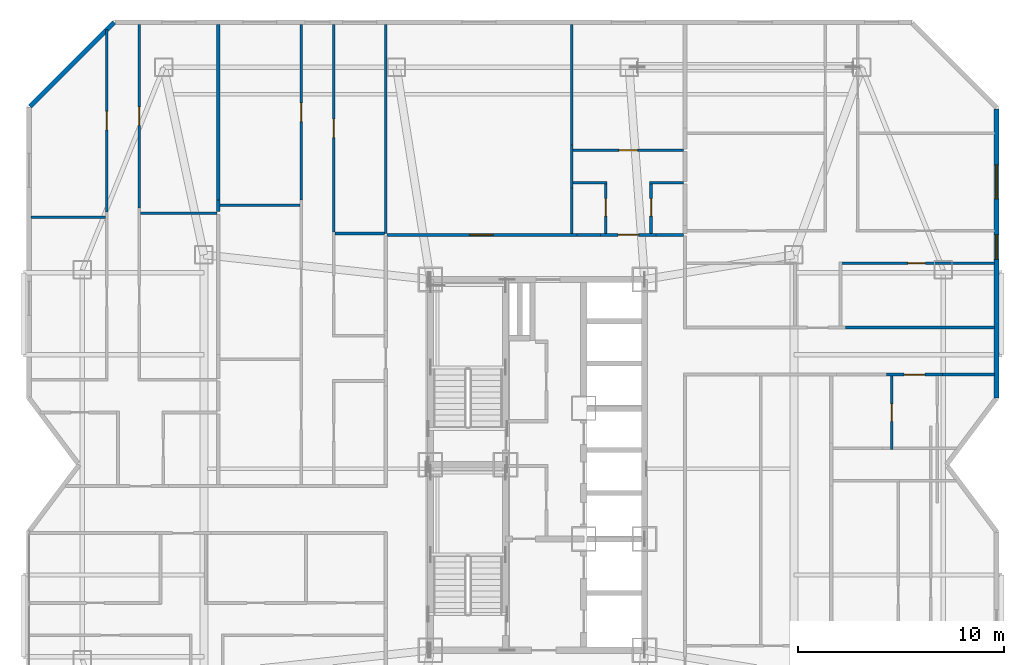
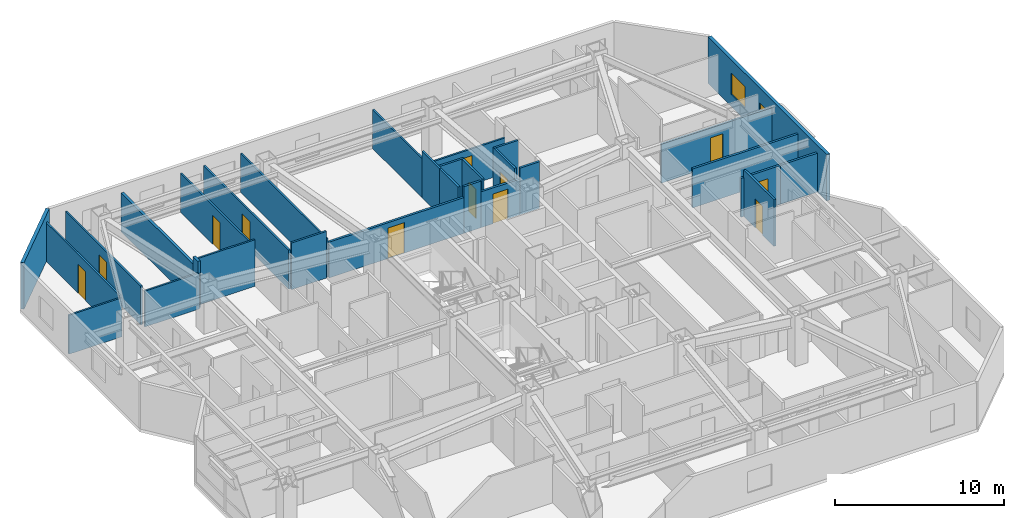
# One storey, part 15 of 17: 30 walls, 12 doors, 2 windows, 14 openings.
"""IFC4 building model written with IfcOpenShell, lengths in metres."""

from ifc_helpers import new_model, si_unit, direction, frame, frame_2d, origin, place, context, subcontext, project, spatial, rectangle, extrude, material, layer, layer_set, type_object, element, fill, save


model = new_model("IFC4")

# Units and contexts
model_context = context("Model", 3, precision=1e-05, world=origin(), true_north=direction((0.0, 1.0)))
body_context = subcontext(model_context, "Body", "Model", "MODEL_VIEW")
ifc_project = project(units=[si_unit("LENGTHUNIT", "METRE"), si_unit("AREAUNIT", "SQUARE_METRE"), si_unit("VOLUMEUNIT", "CUBIC_METRE"), si_unit("PLANEANGLEUNIT", "RADIAN"), si_unit("MASSUNIT", "GRAM", prefix="KILO")], contexts=[model_context])

# Site, building, storey
site_placement = place(None, origin())
site = spatial("IfcSite", under=ifc_project, at=site_placement, CompositionType="ELEMENT")
building_placement = place(site_placement, origin())
building = spatial("IfcBuilding", under=site, at=building_placement, Name="Khamvora Tower", CompositionType="ELEMENT")
storey_placement = place(building_placement, frame((0.0, 0.0, 142.050048828125)))
storey = spatial("IfcBuildingStorey", under=building, at=storey_placement, Name="L36", CompositionType="ELEMENT", Elevation=142.050048828125)

# Wall, opening, door
ifc_material_1 = material(Name="Fire-Rated Drywall and Steel Stud", Category="steel")
ifc_layer_1 = layer(ifc_material_1, 0.14990234375)
ifc_layer_set_1 = layer_set([ifc_layer_1], Name="Fire-Rated Drywall and Steel Stud")
wall_type_1 = type_object("IfcWallType", Name="WAL-CORR-150", PredefinedType="STANDARD", material=ifc_layer_set_1)
wall_1_placement = place(storey_placement, frame((26.89990234375, 39.1650390625, 0.0), z_axis=(0.0, 0.0, 1.0), x_axis=(1.0, 0.0, 0.0)))
wall_1 = element("IfcWall", 1, at=wall_1_placement, inside=storey, type_object=wall_type_1, Name="L36 interior partition wall 006", PredefinedType="STANDARD", context=body_context, shape_type="SweptSolid", body=[
    extrude(rectangle(XDim=9.214111328125, YDim=0.14990234375, at=frame_2d((4.60693359375, 0.0))), origin(), (0.0, 0.0, 1.0), 2.5869140625),
])
opening_1_placement = place(wall_1_placement, frame((4.010986328125, 0.0, 0.0)))
opening_1 = element("IfcOpeningElement", 2, at=opening_1_placement, cuts=wall_1, Name="Opening D-SC1", PredefinedType="OPENING", context=body_context, shape_type="SweptSolid", body=[
    extrude(rectangle(XDim=1.14990234375, YDim=2.199951171875, at=frame_2d((0.574951171875, 1.10009765625))), frame((0.0, 0.0849609375, 0.0), z_axis=(0.0, -1.0, 0.0), x_axis=(1.0, 0.0, 0.0)), (0.0, 0.0, 1.0), 0.169921875),
])
ifc_material_2 = material(Name="Powder-Coated Steel and Hardwood Leaf", Category="steel")
door_type_1 = type_object("IfcDoorType", Name="DOR-SCHL-1150", OperationType="NOTDEFINED", PredefinedType="DOOR", material=ifc_material_2)
door_1_placement = place(opening_1_placement, origin())
door_1 = element("IfcDoor", 3, at=door_1_placement, inside=storey, type_object=door_type_1, Name="L36 interior door COR-RFIT", OperationType="SINGLE_SWING_RIGHT", OverallHeight=2.199951171875, OverallWidth=1.14990234375, PredefinedType="DOOR", context=body_context, shape_type="SweptSolid", body=[
    extrude(rectangle(XDim=1.14990234375, YDim=2.199951171875, at=frame_2d((0.574951171875, 1.10009765625))), frame((0.0, 0.02490234375, 0.0), z_axis=(0.0, -1.0, 0.0), x_axis=(1.0, 0.0, 0.0)), (0.0, 0.0, 1.0), 0.050048828125),
])
fill(opening_1, door_1)

wall_2_placement = place(storey_placement, frame((37.26611328125, 39.1650390625, 0.0), z_axis=(0.0, 0.0, 1.0), x_axis=(1.0, 0.0, 0.0)))
wall_2 = element("IfcWall", 4, at=wall_2_placement, inside=storey, type_object=wall_type_1, Name="L36 interior partition wall 025", PredefinedType="STANDARD", context=body_context, shape_type="SweptSolid", body=[
    extrude(rectangle(XDim=2.697998046875, YDim=0.14990234375, at=frame_2d((1.34912109375, 0.0))), origin(), (0.0, 0.0, 1.0), 2.5869140625),
])
opening_2_placement = place(wall_2_placement, frame((0.84912109375, 0.0, 0.0)))
opening_2 = element("IfcOpeningElement", 5, at=opening_2_placement, cuts=wall_2, Name="Opening D-U1", PredefinedType="OPENING", context=body_context, shape_type="SweptSolid", body=[
    extrude(rectangle(XDim=1.0, YDim=2.14990234375, at=frame_2d((0.5, 1.074951171875))), frame((0.0, 0.0849609375, 0.0), z_axis=(0.0, -1.0, 0.0), x_axis=(1.0, 0.0, 0.0)), (0.0, 0.0, 1.0), 0.169921875),
])
door_type_2 = type_object("IfcDoorType", Name="DOR-UNIT-1000", OperationType="NOTDEFINED", PredefinedType="DOOR", material=ifc_material_2)
door_2_placement = place(opening_2_placement, origin())
door_2 = element("IfcDoor", 6, at=door_2_placement, inside=storey, type_object=door_type_2, Name="L36 interior door COR-36NAH", OperationType="SINGLE_SWING_LEFT", OverallHeight=2.14990234375, OverallWidth=1.0, PredefinedType="DOOR", context=body_context, shape_type="SweptSolid", body=[
    extrude(rectangle(XDim=1.0, YDim=2.14990234375, at=frame_2d((0.5, 1.074951171875))), frame((0.0, 0.02490234375, 0.0), z_axis=(0.0, -1.0, 0.0), x_axis=(1.0, 0.0, 0.0)), (0.0, 0.0, 1.0), 0.050048828125),
])
fill(opening_2, door_2)

# Walls
wall_3_placement = place(storey_placement, frame((36.114013671875, 39.1650390625, 0.0), z_axis=(0.0, 0.0, 1.0), x_axis=(1.0, 0.0, 0.0)))
element("IfcWall", 7, at=wall_3_placement, inside=storey, type_object=wall_type_1, Name="L36 interior partition wall 026", PredefinedType="STANDARD", context=body_context, shape_type="SweptSolid", body=[
    extrude(rectangle(XDim=1.152099609375, YDim=0.14990234375, at=frame_2d((0.576171875, 0.0))), origin(), (0.0, 0.0, 1.0), 3.369873046875),
])
wall_4_placement = place(storey_placement, frame((39.964111328125, 39.1650390625, 0.0), z_axis=(0.0, 0.0, 1.0), x_axis=(1.0, 0.0, 0.0)))
element("IfcWall", 8, at=wall_4_placement, inside=storey, type_object=wall_type_1, Name="L36 interior partition wall 027", PredefinedType="STANDARD", context=body_context, shape_type="SweptSolid", body=[
    extrude(rectangle(XDim=1.3359375, YDim=0.14990234375, at=frame_2d((0.66796875, 0.0))), origin(), (0.0, 0.0, 1.0), 3.369873046875),
])

# Wall, opening, door
wall_5_placement = place(storey_placement, frame((53.85693359375, 32.385009765625, 0.0), z_axis=(0.0, 0.0, 1.0), x_axis=(-1.0, 0.0, 0.0)))
wall_5 = element("IfcWall", 9, at=wall_5_placement, inside=storey, type_object=wall_type_1, Name="L36 interior partition wall 032", PredefinedType="STANDARD", context=body_context, shape_type="SweptSolid", body=[
    extrude(rectangle(XDim=2.698974609375, YDim=0.14990234375, at=frame_2d((1.349609375, 0.0))), origin(), (0.0, 0.0, 1.0), 2.81591796875),
])
opening_3_placement = place(wall_5_placement, frame((0.84912109375, 0.0, 0.0)))
opening_3 = element("IfcOpeningElement", 10, at=opening_3_placement, cuts=wall_5, Name="Opening D-U1", PredefinedType="OPENING", context=body_context, shape_type="SweptSolid", body=[
    extrude(rectangle(XDim=1.0, YDim=2.14990234375, at=frame_2d((0.5, 1.074951171875))), frame((0.0, 0.0849609375, 0.0), z_axis=(0.0, -1.0, 0.0), x_axis=(1.0, 0.0, 0.0)), (0.0, 0.0, 1.0), 0.169921875),
])
door_3_placement = place(opening_3_placement, origin())
door_3 = element("IfcDoor", 11, at=door_3_placement, inside=storey, type_object=door_type_2, Name="L36 interior door COR-36EBH", OperationType="SINGLE_SWING_LEFT", OverallHeight=2.14990234375, OverallWidth=1.0, PredefinedType="DOOR", context=body_context, shape_type="SweptSolid", body=[
    extrude(rectangle(XDim=1.0, YDim=2.14990234375, at=frame_2d((0.5, 1.074951171875))), frame((0.0, 0.02490234375, 0.0), z_axis=(0.0, -1.0, 0.0), x_axis=(1.0, 0.0, 0.0)), (0.0, 0.0, 1.0), 0.050048828125),
])
fill(opening_3, door_3)

# Walls
wall_6_placement = place(storey_placement, frame((56.387939453125, 32.385009765625, 0.0), z_axis=(0.0, 0.0, 1.0), x_axis=(-1.0, 0.0, 0.0)))
element("IfcWall", 12, at=wall_6_placement, inside=storey, type_object=wall_type_1, Name="L36 interior partition wall 033", PredefinedType="STANDARD", context=body_context, shape_type="SweptSolid", body=[
    extrude(rectangle(XDim=2.531005859375, YDim=0.14990234375, at=frame_2d((1.265625, 0.0))), origin(), (0.0, 0.0, 1.0), 2.81591796875),
])
wall_7_placement = place(storey_placement, frame((49.158935546875, 34.6650390625, 0.0), z_axis=(0.0, 0.0, 1.0), x_axis=(1.0, 0.0, 0.0)))
element("IfcWall", 13, at=wall_7_placement, inside=storey, type_object=wall_type_1, Name="L36 interior partition wall 039", PredefinedType="STANDARD", context=body_context, shape_type="SweptSolid", body=[
    extrude(rectangle(XDim=7.22900390625, YDim=0.14990234375, at=frame_2d((3.614501953125, 0.0))), origin(), (0.0, 0.0, 1.0), 2.81591796875),
])
ifc_material_3 = material(Name="Acoustic Double-Stud Fire Wall", Category="gypsum")
ifc_layer_2 = layer(ifc_material_3, 0.179931640625)
ifc_layer_set_2 = layer_set([ifc_layer_2], Name="Acoustic Double-Stud Fire Wall")
wall_type_2 = type_object("IfcWallType", Name="WAL-CORR-180", PredefinedType="STANDARD", material=ifc_layer_set_2)
wall_8_placement = place(storey_placement, frame((18.705078125, 40.85302734375, 0.0), z_axis=(0.0, 0.0, 1.0), x_axis=(0.0, -1.0, 0.0)))
element("IfcWall", 14, at=wall_8_placement, inside=storey, type_object=wall_type_2, Name="L36 interior partition wall 077", PredefinedType="STANDARD", context=body_context, shape_type="SweptSolid", body=[
    extrude(rectangle(XDim=0.56201171875, YDim=0.179931640625, at=frame_2d((0.281005859375, 0.0))), origin(), (0.0, 0.0, 1.0), 3.369873046875),
])
wall_9_placement = place(storey_placement, frame((18.705078125, 49.387939453125, 0.0), z_axis=(0.0, 0.0, 1.0), x_axis=(0.0, -1.0, 0.0)))
element("IfcWall", 15, at=wall_9_placement, inside=storey, type_object=wall_type_2, Name="L36 interior partition wall 078", PredefinedType="STANDARD", context=body_context, shape_type="SweptSolid", body=[
    extrude(rectangle(XDim=8.534912109375, YDim=0.179931640625, at=frame_2d((4.267578125, 0.0))), origin(), (0.0, 0.0, 1.0), 2.81591796875),
])
ifc_material_4 = material(Name="Precast concrete C40/50", Category="concrete")
ifc_layer_3 = layer(ifc_material_4, 0.219970703125)
ifc_layer_set_3 = layer_set([ifc_layer_3], Name="Precast concrete C40/50")
wall_type_3 = type_object("IfcWallType", Name="WAL-EXT-220", PredefinedType="STANDARD", material=ifc_layer_set_3)
wall_10_placement = place(storey_placement, frame((9.55810546875, 45.402099609375, 0.0), z_axis=(0.0, 0.0, 1.0), x_axis=(0.707106781187, 0.707106781187, 0.0)))
element("IfcWall", 16, at=wall_10_placement, inside=storey, type_object=wall_type_3, Name="L36 exterior facade wall 06.1", PredefinedType="STANDARD", context=body_context, shape_type="SweptSolid", body=[
    extrude(rectangle(XDim=5.78125, YDim=0.219970703125, at=frame_2d((2.890625, 0.0))), origin(), (0.0, 0.0, 1.0), 3.369873046875),
])

# Wall, openings, windows
wall_11_placement = place(storey_placement, frame((56.489990234375, 45.282958984375, 0.0), z_axis=(0.0, 0.0, 1.0), x_axis=(0.0, -1.0, 0.0)))
wall_11 = element("IfcWall", 17, at=wall_11_placement, inside=storey, type_object=wall_type_3, Name="L36 exterior facade wall 09.1", PredefinedType="STANDARD", context=body_context, shape_type="SweptSolid", body=[
    extrude(rectangle(XDim=14.0458984375, YDim=0.219970703125, at=frame_2d((7.02294921875, 0.0))), origin(), (0.0, 0.0, 1.0), 3.369873046875),
])
opening_4_placement = place(wall_11_placement, frame((6.10107421875, 0.0, 0.800048828125)))
opening_4 = element("IfcOpeningElement", 18, at=opening_4_placement, cuts=wall_11, Name="Opening WN-03", PredefinedType="OPENING", context=body_context, shape_type="SweptSolid", body=[
    extrude(rectangle(XDim=1.199951171875, YDim=1.5, at=frame_2d((0.60009765625, 0.75))), frame((0.0, 0.119873046875, 0.0), z_axis=(0.0, -1.0, 0.0), x_axis=(1.0, 0.0, 0.0)), (0.0, 0.0, 1.0), 0.239990234375),
])
opening_5_placement = place(wall_11_placement, frame((2.718994140625, 0.0, 0.85009765625)))
opening_5 = element("IfcOpeningElement", 19, at=opening_5_placement, cuts=wall_11, Name="Opening WN-06", PredefinedType="OPENING", context=body_context, shape_type="SweptSolid", body=[
    extrude(rectangle(XDim=1.64990234375, YDim=1.550048828125, at=frame_2d((0.824951171875, 0.77490234375))), frame((0.0, 0.119873046875, 0.0), z_axis=(0.0, -1.0, 0.0), x_axis=(1.0, 0.0, 0.0)), (0.0, 0.0, 1.0), 0.239990234375),
])
ifc_material_5 = material(Name="Low-E Laminated Double Glazing", Category="glass")
window_type_1 = type_object("IfcWindowType", Name="WIN-VIS-1200x1500", PartitioningType="SINGLE_PANEL", PredefinedType="WINDOW", material=ifc_material_5)
window_1_placement = place(opening_4_placement, origin())
window_1 = element("IfcWindow", 20, at=window_1_placement, inside=storey, type_object=window_type_1, Name="L36 vision window 09.1.01", OverallHeight=1.5, OverallWidth=1.199951171875, PartitioningType="SINGLE_PANEL", PredefinedType="WINDOW", context=body_context, shape_type="SweptSolid", body=[
    extrude(rectangle(XDim=1.199951171875, YDim=1.5, at=frame_2d((0.60009765625, 0.75))), frame((0.0, 0.030029296875, 0.0), z_axis=(0.0, -1.0, 0.0), x_axis=(1.0, 0.0, 0.0)), (0.0, 0.0, 1.0), 0.06005859375),
])
fill(opening_4, window_1)
window_type_2 = type_object("IfcWindowType", Name="WIN-VIS-1650x1550", PartitioningType="SINGLE_PANEL", PredefinedType="WINDOW", material=ifc_material_5)
window_2_placement = place(opening_5_placement, origin())
window_2 = element("IfcWindow", 21, at=window_2_placement, inside=storey, type_object=window_type_2, Name="L36 vision window 09.1.02", OverallHeight=1.550048828125, OverallWidth=1.64990234375, PartitioningType="SINGLE_PANEL", PredefinedType="WINDOW", context=body_context, shape_type="SweptSolid", body=[
    extrude(rectangle(XDim=1.64990234375, YDim=1.550048828125, at=frame_2d((0.824951171875, 0.77490234375))), frame((0.0, 0.030029296875, 0.0), z_axis=(0.0, -1.0, 0.0), x_axis=(1.0, 0.0, 0.0)), (0.0, 0.0, 1.0), 0.06005859375),
])
fill(opening_5, window_2)

# Walls
ifc_material_6 = material(Name="Gypsum Plasterboard Partition", Category="gypsum")
ifc_layer_4 = layer(ifc_material_6, 0.1201171875)
ifc_layer_set_4 = layer_set([ifc_layer_4], Name="Gypsum Plasterboard Partition")
wall_type_4 = type_object("IfcWallType", Name="WAL-PART-120", PredefinedType="PARTITIONING", material=ifc_layer_set_4)
wall_12_placement = place(storey_placement, frame((26.8349609375, 39.22998046875, 0.0), z_axis=(0.0, 0.0, 1.0), x_axis=(0.0, 1.0, 0.0)))
element("IfcWall", 22, at=wall_12_placement, inside=storey, type_object=wall_type_4, Name="L36 interior partition wall 040", PredefinedType="PARTITIONING", context=body_context, shape_type="SweptSolid", body=[
    extrude(rectangle(XDim=10.157958984375, YDim=0.1201171875, at=frame_2d((5.0791015625, 0.0))), origin(), (0.0, 0.0, 1.0), 2.81591796875),
])
wall_13_placement = place(storey_placement, frame((35.864990234375, 43.52392578125, 0.0), z_axis=(0.0, 0.0, 1.0), x_axis=(0.0, -1.0, 0.0)))
element("IfcWall", 23, at=wall_13_placement, inside=storey, type_object=wall_type_4, Name="L36 interior partition wall 041", PredefinedType="PARTITIONING", context=body_context, shape_type="SweptSolid", body=[
    extrude(rectangle(XDim=2.077880859375, YDim=0.1201171875, at=frame_2d((1.0390625, 0.0))), origin(), (0.0, 0.0, 1.0), 3.369873046875),
])
wall_14_placement = place(storey_placement, frame((35.864990234375, 49.387939453125, 0.0), z_axis=(0.0, 0.0, 1.0), x_axis=(0.0, -1.0, 0.0)))
element("IfcWall", 24, at=wall_14_placement, inside=storey, type_object=wall_type_4, Name="L36 interior partition wall 043", PredefinedType="PARTITIONING", context=body_context, shape_type="SweptSolid", body=[
    extrude(rectangle(XDim=5.864013671875, YDim=0.1201171875, at=frame_2d((2.93212890625, 0.0))), origin(), (0.0, 0.0, 1.0), 2.81591796875),
])

# Wall, opening, door
wall_15_placement = place(storey_placement, frame((13.2900390625, 40.280029296875, 0.0), z_axis=(0.0, 0.0, 1.0), x_axis=(0.0, 1.0, 0.0)))
wall_15 = element("IfcWall", 25, at=wall_15_placement, inside=storey, type_object=wall_type_4, Name="L36 interior partition wall 067", PredefinedType="PARTITIONING", context=body_context, shape_type="SweptSolid", body=[
    extrude(rectangle(XDim=8.863037109375, YDim=0.1201171875, at=frame_2d((4.431640625, 0.0))), origin(), (0.0, 0.0, 1.0), 2.81591796875),
])
opening_6_placement = place(wall_15_placement, frame((3.98095703125, 0.0, 0.0)))
opening_6 = element("IfcOpeningElement", 26, at=opening_6_placement, cuts=wall_15, Name="Opening D-RM1", PredefinedType="OPENING", context=body_context, shape_type="SweptSolid", body=[
    extrude(rectangle(XDim=0.89990234375, YDim=2.10009765625, at=frame_2d((0.449951171875, 1.050048828125))), frame((0.0, 0.070068359375, 0.0), z_axis=(0.0, -1.0, 0.0), x_axis=(1.0, 0.0, 0.0)), (0.0, 0.0, 1.0), 0.14013671875),
])
door_type_3 = type_object("IfcDoorType", Name="DOR-ROOM-900", OperationType="NOTDEFINED", PredefinedType="DOOR", material=ifc_material_2)
door_4_placement = place(opening_6_placement, origin())
door_4 = element("IfcDoor", 27, at=door_4_placement, inside=storey, type_object=door_type_3, Name="L36 interior door 36WBH-36WBR2", OperationType="SINGLE_SWING_LEFT", OverallHeight=2.10009765625, OverallWidth=0.89990234375, PredefinedType="DOOR", context=body_context, shape_type="SweptSolid", body=[
    extrude(rectangle(XDim=0.89990234375, YDim=2.10009765625, at=frame_2d((0.449951171875, 1.050048828125))), frame((0.0, 0.02490234375, 0.0), z_axis=(0.0, -1.0, 0.0), x_axis=(1.0, 0.0, 0.0)), (0.0, 0.0, 1.0), 0.050048828125),
])
fill(opening_6, door_4)

wall_16_placement = place(storey_placement, frame((14.860107421875, 49.387939453125, 0.0), z_axis=(0.0, 0.0, 1.0), x_axis=(0.0, -1.0, 0.0)))
wall_16 = element("IfcWall", 28, at=wall_16_placement, inside=storey, type_object=wall_type_4, Name="L36 interior partition wall 070", PredefinedType="PARTITIONING", context=body_context, shape_type="SweptSolid", body=[
    extrude(rectangle(XDim=8.912841796875, YDim=0.1201171875, at=frame_2d((4.45654296875, 0.0))), origin(), (0.0, 0.0, 1.0), 2.81591796875),
])
opening_7_placement = place(wall_16_placement, frame((4.006103515625, 0.0, 0.0)))
opening_7 = element("IfcOpeningElement", 29, at=opening_7_placement, cuts=wall_16, Name="Opening D-RM1", PredefinedType="OPENING", context=body_context, shape_type="SweptSolid", body=[
    extrude(rectangle(XDim=0.89990234375, YDim=2.10009765625, at=frame_2d((0.449951171875, 1.050048828125))), frame((0.0, 0.070068359375, 0.0), z_axis=(0.0, -1.0, 0.0), x_axis=(1.0, 0.0, 0.0)), (0.0, 0.0, 1.0), 0.14013671875),
])
door_5_placement = place(opening_7_placement, origin())
door_5 = element("IfcDoor", 30, at=door_5_placement, inside=storey, type_object=door_type_3, Name="L36 interior door 36WBH-36WBR4", OperationType="SINGLE_SWING_LEFT", OverallHeight=2.10009765625, OverallWidth=0.89990234375, PredefinedType="DOOR", context=body_context, shape_type="SweptSolid", body=[
    extrude(rectangle(XDim=0.89990234375, YDim=2.10009765625, at=frame_2d((0.449951171875, 1.050048828125))), frame((0.0, 0.02490234375, 0.0), z_axis=(0.0, -1.0, 0.0), x_axis=(1.0, 0.0, 0.0)), (0.0, 0.0, 1.0), 0.050048828125),
])
fill(opening_7, door_5)

# Walls
wall_17_placement = place(storey_placement, frame((9.612060546875, 40.031005859375, 0.0), z_axis=(0.0, 0.0, 1.0), x_axis=(1.0, 0.0, 0.0)))
element("IfcWall", 31, at=wall_17_placement, inside=storey, type_object=wall_type_4, Name="L36 interior partition wall 073", PredefinedType="PARTITIONING", context=body_context, shape_type="SweptSolid", body=[
    extrude(rectangle(XDim=3.6240234375, YDim=0.1201171875, at=frame_2d((1.81201171875, 0.0))), origin(), (0.0, 0.0, 1.0), 2.81591796875),
])
wall_18_placement = place(storey_placement, frame((14.9140625, 40.22607421875, 0.0), z_axis=(0.0, 0.0, 1.0), x_axis=(1.0, 0.0, 0.0)))
element("IfcWall", 32, at=wall_18_placement, inside=storey, type_object=wall_type_4, Name="L36 interior partition wall 074", PredefinedType="PARTITIONING", context=body_context, shape_type="SweptSolid", body=[
    extrude(rectangle(XDim=3.725830078125, YDim=0.1201171875, at=frame_2d((1.86279296875, 0.0))), origin(), (0.0, 0.0, 1.0), 2.5869140625),
])

# Wall, opening, door
wall_19_placement = place(storey_placement, frame((24.304931640625, 39.2958984375, 0.0), z_axis=(0.0, 0.0, 1.0), x_axis=(0.0, 1.0, 0.0)))
wall_19 = element("IfcWall", 33, at=wall_19_placement, inside=storey, type_object=wall_type_4, Name="L36 interior partition wall 079", PredefinedType="PARTITIONING", context=body_context, shape_type="SweptSolid", body=[
    extrude(rectangle(XDim=10.092041015625, YDim=0.1201171875, at=frame_2d((5.0458984375, 0.0))), origin(), (0.0, 0.0, 1.0), 2.81591796875),
])
opening_8_placement = place(wall_19_placement, frame((4.595947265625, 0.0, 0.0)))
opening_8 = element("IfcOpeningElement", 34, at=opening_8_placement, cuts=wall_19, Name="Opening D-RM1", PredefinedType="OPENING", context=body_context, shape_type="SweptSolid", body=[
    extrude(rectangle(XDim=0.89990234375, YDim=2.10009765625, at=frame_2d((0.449951171875, 1.050048828125))), frame((0.0, 0.070068359375, 0.0), z_axis=(0.0, -1.0, 0.0), x_axis=(1.0, 0.0, 0.0)), (0.0, 0.0, 1.0), 0.14013671875),
])
door_6_placement = place(opening_8_placement, origin())
door_6 = element("IfcDoor", 35, at=door_6_placement, inside=storey, type_object=door_type_3, Name="L36 interior door 36WCW2-36WCH", OperationType="SINGLE_SWING_RIGHT", OverallHeight=2.10009765625, OverallWidth=0.89990234375, PredefinedType="DOOR", context=body_context, shape_type="SweptSolid", body=[
    extrude(rectangle(XDim=0.89990234375, YDim=2.10009765625, at=frame_2d((0.449951171875, 1.050048828125))), frame((0.0, 0.02490234375, 0.0), z_axis=(0.0, -1.0, 0.0), x_axis=(1.0, 0.0, 0.0)), (0.0, 0.0, 1.0), 0.050048828125),
])
fill(opening_8, door_6)

wall_20_placement = place(storey_placement, frame((22.72509765625, 40.85302734375, 0.0), z_axis=(0.0, 0.0, 1.0), x_axis=(0.0, 1.0, 0.0)))
wall_20 = element("IfcWall", 36, at=wall_20_placement, inside=storey, type_object=wall_type_4, Name="L36 interior partition wall 087", PredefinedType="PARTITIONING", context=body_context, shape_type="SweptSolid", body=[
    extrude(rectangle(XDim=8.534912109375, YDim=0.1201171875, at=frame_2d((4.267578125, 0.0))), origin(), (0.0, 0.0, 1.0), 2.81591796875),
])
opening_9_placement = place(wall_20_placement, frame((3.81689453125, 0.0, 0.0)))
opening_9 = element("IfcOpeningElement", 37, at=opening_9_placement, cuts=wall_20, Name="Opening D-RM1", PredefinedType="OPENING", context=body_context, shape_type="SweptSolid", body=[
    extrude(rectangle(XDim=0.89990234375, YDim=2.10009765625, at=frame_2d((0.449951171875, 1.050048828125))), frame((0.0, 0.070068359375, 0.0), z_axis=(0.0, -1.0, 0.0), x_axis=(1.0, 0.0, 0.0)), (0.0, 0.0, 1.0), 0.14013671875),
])
door_7_placement = place(opening_9_placement, origin())
door_7 = element("IfcDoor", 38, at=door_7_placement, inside=storey, type_object=door_type_3, Name="L36 interior door 36WCH-36WCR3", OperationType="SINGLE_SWING_LEFT", OverallHeight=2.10009765625, OverallWidth=0.89990234375, PredefinedType="DOOR", context=body_context, shape_type="SweptSolid", body=[
    extrude(rectangle(XDim=0.89990234375, YDim=2.10009765625, at=frame_2d((0.449951171875, 1.050048828125))), frame((0.0, 0.02490234375, 0.0), z_axis=(0.0, -1.0, 0.0), x_axis=(1.0, 0.0, 0.0)), (0.0, 0.0, 1.0), 0.050048828125),
])
fill(opening_9, door_7)

# Wall
wall_21_placement = place(storey_placement, frame((18.787109375, 40.60302734375, 0.0), z_axis=(0.0, 0.0, 1.0), x_axis=(1.0, 0.0, 0.0)))
element("IfcWall", 39, at=wall_21_placement, inside=storey, type_object=wall_type_4, Name="L36 interior partition wall 089", PredefinedType="PARTITIONING", context=body_context, shape_type="SweptSolid", body=[
    extrude(rectangle(XDim=3.8837890625, YDim=0.1201171875, at=frame_2d((1.94189453125, 0.0))), origin(), (0.0, 0.0, 1.0), 3.369873046875),
])

# Wall, opening, door
wall_22_placement = place(storey_placement, frame((35.9189453125, 43.27490234375, 0.0), z_axis=(0.0, 0.0, 1.0), x_axis=(1.0, 0.0, 0.0)))
wall_22 = element("IfcWall", 40, at=wall_22_placement, inside=storey, type_object=wall_type_4, Name="L36 interior partition wall 105", PredefinedType="PARTITIONING", context=body_context, shape_type="SweptSolid", body=[
    extrude(rectangle(XDim=5.381103515625, YDim=0.1201171875, at=frame_2d((2.6904296875, 0.0))), origin(), (0.0, 0.0, 1.0), 2.5869140625),
])
opening_10_placement = place(wall_22_placement, frame((2.239990234375, 0.0, 0.0)))
opening_10 = element("IfcOpeningElement", 41, at=opening_10_placement, cuts=wall_22, Name="Opening D-RM1", PredefinedType="OPENING", context=body_context, shape_type="SweptSolid", body=[
    extrude(rectangle(XDim=0.89990234375, YDim=2.10009765625, at=frame_2d((0.449951171875, 1.050048828125))), frame((0.0, 0.070068359375, 0.0), z_axis=(0.0, -1.0, 0.0), x_axis=(1.0, 0.0, 0.0)), (0.0, 0.0, 1.0), 0.14013671875),
])
door_8_placement = place(opening_10_placement, origin())
door_8 = element("IfcDoor", 42, at=door_8_placement, inside=storey, type_object=door_type_3, Name="L36 interior door 36NAH-36NAR1", OperationType="SINGLE_SWING_RIGHT", OverallHeight=2.10009765625, OverallWidth=0.89990234375, PredefinedType="DOOR", context=body_context, shape_type="SweptSolid", body=[
    extrude(rectangle(XDim=0.89990234375, YDim=2.10009765625, at=frame_2d((0.449951171875, 1.050048828125))), frame((0.0, 0.02490234375, 0.0), z_axis=(0.0, -1.0, 0.0), x_axis=(1.0, 0.0, 0.0)), (0.0, 0.0, 1.0), 0.050048828125),
])
fill(opening_10, door_8)

# Walls
ifc_material_7 = material(Name="Moisture-Resistant Plasterboard Partition", Category="gypsum")
ifc_layer_5 = layer(ifc_material_7, 0.135009765625)
ifc_layer_set_5 = layer_set([ifc_layer_5], Name="Moisture-Resistant Plasterboard Partition")
wall_type_5 = type_object("IfcWallType", Name="WAL-WET-135", PredefinedType="PARTITIONING", material=ifc_layer_set_5)
wall_23_placement = place(storey_placement, frame((35.864990234375, 41.446044921875, 0.0), z_axis=(0.0, 0.0, 1.0), x_axis=(0.0, -1.0, 0.0)))
element("IfcWall", 43, at=wall_23_placement, inside=storey, type_object=wall_type_5, Name="L36 interior partition wall 042", PredefinedType="PARTITIONING", context=body_context, shape_type="SweptSolid", body=[
    extrude(rectangle(XDim=2.214111328125, YDim=0.135009765625, at=frame_2d((1.10693359375, 0.0))), origin(), (0.0, 0.0, 1.0), 3.369873046875),
])
wall_24_placement = place(storey_placement, frame((26.77001953125, 39.23095703125, 0.0), z_axis=(0.0, 0.0, 1.0), x_axis=(-1.0, 0.0, 0.0)))
element("IfcWall", 44, at=wall_24_placement, inside=storey, type_object=wall_type_5, Name="L36 interior partition wall 080", PredefinedType="PARTITIONING", context=body_context, shape_type="SweptSolid", body=[
    extrude(rectangle(XDim=2.39990234375, YDim=0.135009765625, at=frame_2d((1.199951171875, 0.0))), origin(), (0.0, 0.0, 1.0), 3.369873046875),
])

# Wall, opening, door
wall_25_placement = place(storey_placement, frame((37.514892578125, 39.23193359375, 0.0), z_axis=(0.0, 0.0, 1.0), x_axis=(0.0, 1.0, 0.0)))
wall_25 = element("IfcWall", 45, at=wall_25_placement, inside=storey, type_object=wall_type_5, Name="L36 interior partition wall 101", PredefinedType="PARTITIONING", context=body_context, shape_type="SweptSolid", body=[
    extrude(rectangle(XDim=2.528076171875, YDim=0.135009765625, at=frame_2d((1.26416015625, 0.0))), origin(), (0.0, 0.0, 1.0), 3.369873046875),
])
opening_11_placement = place(wall_25_placement, frame((0.839111328125, 0.0, 0.0)))
opening_11 = element("IfcOpeningElement", 46, at=opening_11_placement, cuts=wall_25, Name="Opening D-WC1", PredefinedType="OPENING", context=body_context, shape_type="SweptSolid", body=[
    extrude(rectangle(XDim=0.85009765625, YDim=2.10009765625, at=frame_2d((0.425048828125, 1.050048828125))), frame((0.0, 0.077392578125, 0.0), z_axis=(0.0, -1.0, 0.0), x_axis=(1.0, 0.0, 0.0)), (0.0, 0.0, 1.0), 0.155029296875),
])
door_type_4 = type_object("IfcDoorType", Name="DOR-WET-850", OperationType="NOTDEFINED", PredefinedType="DOOR", material=ifc_material_2)
door_9_placement = place(opening_11_placement, origin())
door_9 = element("IfcDoor", 47, at=door_9_placement, inside=storey, type_object=door_type_4, Name="L36 interior door 36NAH-36NAB", OperationType="SINGLE_SWING_RIGHT", OverallHeight=2.10009765625, OverallWidth=0.85009765625, PredefinedType="DOOR", context=body_context, shape_type="SweptSolid", body=[
    extrude(rectangle(XDim=0.85009765625, YDim=2.10009765625, at=frame_2d((0.425048828125, 1.050048828125))), frame((0.0, 0.02490234375, 0.0), z_axis=(0.0, -1.0, 0.0), x_axis=(1.0, 0.0, 0.0)), (0.0, 0.0, 1.0), 0.050048828125),
])
fill(opening_11, door_9)

# Walls
wall_26_placement = place(storey_placement, frame((37.580078125, 41.695068359375, 0.0), z_axis=(0.0, 0.0, 1.0), x_axis=(-1.0, 0.0, 0.0)))
element("IfcWall", 48, at=wall_26_placement, inside=storey, type_object=wall_type_5, Name="L36 interior partition wall 102", PredefinedType="PARTITIONING", context=body_context, shape_type="SweptSolid", body=[
    extrude(rectangle(XDim=1.6611328125, YDim=0.135009765625, at=frame_2d((0.83056640625, 0.0))), origin(), (0.0, 0.0, 1.0), 3.369873046875),
])
wall_27_placement = place(storey_placement, frame((41.300048828125, 41.695068359375, 0.0), z_axis=(0.0, 0.0, 1.0), x_axis=(-1.0, 0.0, 0.0)))
element("IfcWall", 49, at=wall_27_placement, inside=storey, type_object=wall_type_5, Name="L36 interior partition wall 103", PredefinedType="PARTITIONING", context=body_context, shape_type="SweptSolid", body=[
    extrude(rectangle(XDim=1.650146484375, YDim=0.135009765625, at=frame_2d((0.8251953125, 0.0))), origin(), (0.0, 0.0, 1.0), 3.369873046875),
])

# Wall, opening, door
wall_28_placement = place(storey_placement, frame((39.715087890625, 41.760009765625, 0.0), z_axis=(0.0, 0.0, 1.0), x_axis=(0.0, -1.0, 0.0)))
wall_28 = element("IfcWall", 50, at=wall_28_placement, inside=storey, type_object=wall_type_5, Name="L36 interior partition wall 104", PredefinedType="PARTITIONING", context=body_context, shape_type="SweptSolid", body=[
    extrude(rectangle(XDim=2.528076171875, YDim=0.135009765625, at=frame_2d((1.26416015625, 0.0))), origin(), (0.0, 0.0, 1.0), 3.369873046875),
])
opening_12_placement = place(wall_28_placement, frame((0.839111328125, 0.0, 0.0)))
opening_12 = element("IfcOpeningElement", 51, at=opening_12_placement, cuts=wall_28, Name="Opening D-RM2", PredefinedType="OPENING", context=body_context, shape_type="SweptSolid", body=[
    extrude(rectangle(XDim=0.85009765625, YDim=2.10009765625, at=frame_2d((0.425048828125, 1.050048828125))), frame((0.0, 0.077392578125, 0.0), z_axis=(0.0, -1.0, 0.0), x_axis=(1.0, 0.0, 0.0)), (0.0, 0.0, 1.0), 0.155029296875),
])
door_type_5 = type_object("IfcDoorType", Name="DOR-ROOM-850", OperationType="NOTDEFINED", PredefinedType="DOOR", material=ifc_material_2)
door_10_placement = place(opening_12_placement, origin())
door_10 = element("IfcDoor", 52, at=door_10_placement, inside=storey, type_object=door_type_5, Name="L36 interior door 36NAH-36NAK", OperationType="SINGLE_SWING_LEFT", OverallHeight=2.10009765625, OverallWidth=0.85009765625, PredefinedType="DOOR", context=body_context, shape_type="SweptSolid", body=[
    extrude(rectangle(XDim=0.85009765625, YDim=2.10009765625, at=frame_2d((0.425048828125, 1.050048828125))), frame((0.0, 0.02490234375, 0.0), z_axis=(0.0, -1.0, 0.0), x_axis=(1.0, 0.0, 0.0)), (0.0, 0.0, 1.0), 0.050048828125),
])
fill(opening_12, door_10)

wall_29_placement = place(storey_placement, frame((51.406982421875, 28.739990234375, 0.0), z_axis=(0.0, 0.0, 1.0), x_axis=(0.0, 1.0, 0.0)))
wall_29 = element("IfcWall", 53, at=wall_29_placement, inside=storey, type_object=wall_type_5, Name="L36 interior partition wall 126", PredefinedType="PARTITIONING", context=body_context, shape_type="SweptSolid", body=[
    extrude(rectangle(XDim=3.578125, YDim=0.135009765625, at=frame_2d((1.7890625, 0.0))), origin(), (0.0, 0.0, 1.0), 3.369873046875),
])
opening_13_placement = place(wall_29_placement, frame((1.364013671875, 0.0, 0.0)))
opening_13 = element("IfcOpeningElement", 54, at=opening_13_placement, cuts=wall_29, Name="Opening D-RM2", PredefinedType="OPENING", context=body_context, shape_type="SweptSolid", body=[
    extrude(rectangle(XDim=0.85009765625, YDim=2.10009765625, at=frame_2d((0.425048828125, 1.050048828125))), frame((0.0, 0.077392578125, 0.0), z_axis=(0.0, -1.0, 0.0), x_axis=(1.0, 0.0, 0.0)), (0.0, 0.0, 1.0), 0.155029296875),
])
door_11_placement = place(opening_13_placement, origin())
door_11 = element("IfcDoor", 55, at=door_11_placement, inside=storey, type_object=door_type_5, Name="L36 interior door 36EBH-36EBK", OperationType="SINGLE_SWING_LEFT", OverallHeight=2.10009765625, OverallWidth=0.85009765625, PredefinedType="DOOR", context=body_context, shape_type="SweptSolid", body=[
    extrude(rectangle(XDim=0.85009765625, YDim=2.10009765625, at=frame_2d((0.425048828125, 1.050048828125))), frame((0.0, 0.02490234375, 0.0), z_axis=(0.0, -1.0, 0.0), x_axis=(1.0, 0.0, 0.0)), (0.0, 0.0, 1.0), 0.050048828125),
])
fill(opening_13, door_11)

wall_30_placement = place(storey_placement, frame((56.387939453125, 37.7919921875, 0.0), z_axis=(0.0, 0.0, 1.0), x_axis=(-1.0, 0.0, 0.0)))
wall_30 = element("IfcWall", 56, at=wall_30_placement, inside=storey, type_object=wall_type_5, Name="L36 interior partition wall 137", PredefinedType="PARTITIONING", context=body_context, shape_type="SweptSolid", body=[
    extrude(rectangle(XDim=7.54296875, YDim=0.135009765625, at=frame_2d((3.771484375, 0.0))), origin(), (0.0, 0.0, 1.0), 2.81591796875),
])
opening_14_placement = place(wall_30_placement, frame((3.346923828125, 0.0, 0.0)))
opening_14 = element("IfcOpeningElement", 57, at=opening_14_placement, cuts=wall_30, Name="Opening D-RM2", PredefinedType="OPENING", context=body_context, shape_type="SweptSolid", body=[
    extrude(rectangle(XDim=0.85009765625, YDim=2.10009765625, at=frame_2d((0.425048828125, 1.050048828125))), frame((0.0, 0.077392578125, 0.0), z_axis=(0.0, -1.0, 0.0), x_axis=(1.0, 0.0, 0.0)), (0.0, 0.0, 1.0), 0.155029296875),
])
door_12_placement = place(opening_14_placement, origin())
door_12 = element("IfcDoor", 58, at=door_12_placement, inside=storey, type_object=door_type_5, Name="L36 interior door 36ECH-36ECK", OperationType="SINGLE_SWING_RIGHT", OverallHeight=2.10009765625, OverallWidth=0.85009765625, PredefinedType="DOOR", context=body_context, shape_type="SweptSolid", body=[
    extrude(rectangle(XDim=0.85009765625, YDim=2.10009765625, at=frame_2d((0.425048828125, 1.050048828125))), frame((0.0, 0.02490234375, 0.0), z_axis=(0.0, -1.0, 0.0), x_axis=(1.0, 0.0, 0.0)), (0.0, 0.0, 1.0), 0.050048828125),
])
fill(opening_14, door_12)

save(model, "model.ifc")
